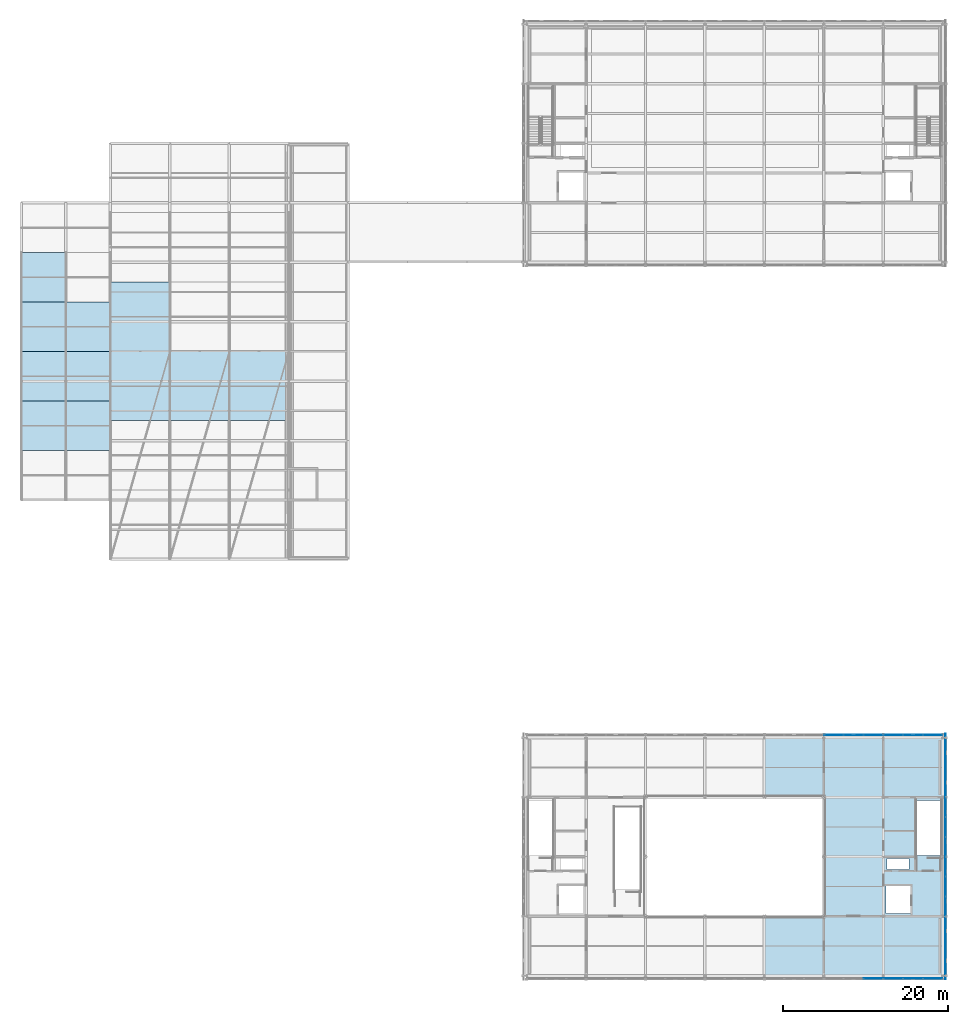
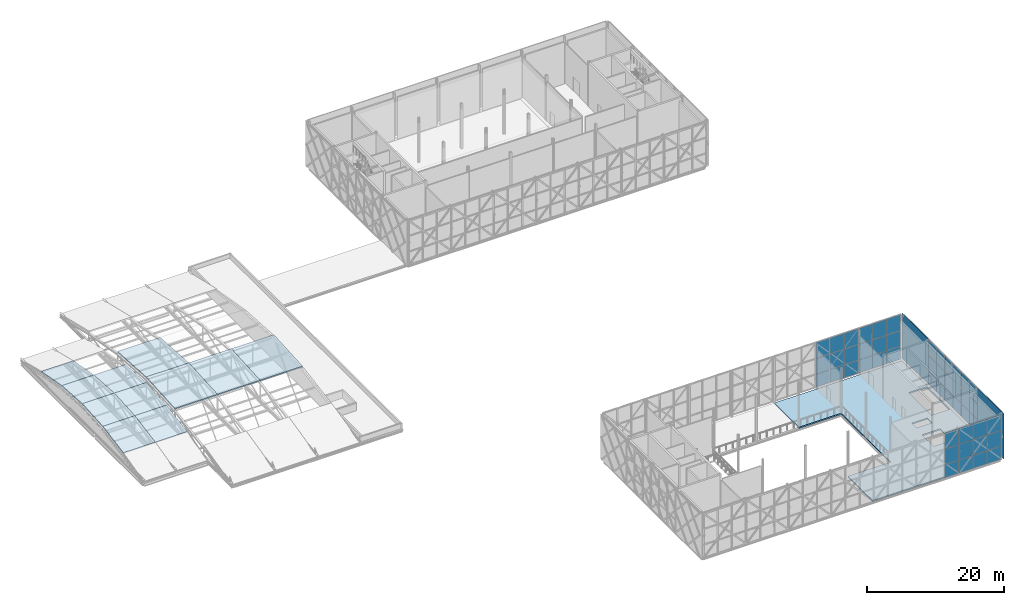
# One storey, part 55 of 76: 50 plates, 12 slabs, 6 elements without a shape of their own.
"""IFC4 building model written with IfcOpenShell, lengths in metres."""

from ifc_helpers import new_model, si_unit, direction, frame, origin, origin_2d, place, context, subcontext, project, spatial, polyline, rectangle, outline, extrude, material, layer, layer_set, type_object, element, aggregate, save


model = new_model("IFC4")

# Units and contexts
model_context = context("Model", 3, precision=1e-05, world=origin(), true_north=direction((0.0, 1.0)))
body_context = subcontext(model_context, "Body", "Model", "MODEL_VIEW")
ifc_project = project(units=[si_unit("LENGTHUNIT", "METRE"), si_unit("AREAUNIT", "SQUARE_METRE"), si_unit("VOLUMEUNIT", "CUBIC_METRE"), si_unit("PLANEANGLEUNIT", "RADIAN"), si_unit("MASSUNIT", "GRAM", prefix="KILO")], contexts=[model_context])

# Site, building, storey
site_placement = place(None, origin())
site = spatial("IfcSite", under=ifc_project, at=site_placement, CompositionType="ELEMENT")
building_placement = place(site_placement, origin())
building = spatial("IfcBuilding", under=site, at=building_placement, Name="Zlatovets Crest Museum", CompositionType="ELEMENT")
storey_placement = place(building_placement, frame((0.0, 0.0, 17.10009765625)))
storey = spatial("IfcBuildingStorey", under=building, at=storey_placement, Name="L04", CompositionType="ELEMENT", Elevation=17.10009765625)

# Curtain wall, plates
ifc_material_1 = material(Name="Bronze-anodised aluminium and low-E triple glass", Category="aluminium")
curtain_wall_type_1 = type_object("IfcCurtainWallType", Name="CW_CW-V2-L04-M0", PredefinedType="NOTDEFINED", material=ifc_material_1)
curtain_wall_1_placement = place(storey_placement, origin())
curtain_wall_1 = element("IfcCurtainWall", 1, at=curtain_wall_1_placement, inside=storey, type_object=curtain_wall_type_1, Name="V2 L04 Expressed Core Glazed Facade", PredefinedType="NOTDEFINED")
ifc_material_2 = material(Name="Solar-control low-E laminated triple glass", Category="glass")
ifc_layer_1 = layer(ifc_material_2, 0.028076171875)
ifc_layer_set_1 = layer_set([ifc_layer_1], Name="Solar-control low-E laminated triple glass")
plate_type_1 = type_object("IfcPlateType", Name="CWPanel_CW-V2-L04-M0", PredefinedType="CURTAIN_PANEL", material=ifc_layer_set_1)
plate_1_placement = place(storey_placement, frame((108.340087890625, 8.4150390625, 0.059814453125), z_axis=(0.0, 0.0, 1.0), x_axis=(0.0, 1.0, 0.0)))
plate_1 = element("IfcPlate", 2, at=plate_1_placement, type_object=plate_type_1, Name="CW-V2-L04-M0 panel 1.1", PredefinedType="CURTAIN_PANEL", context=body_context, shape_type="SweptSolid", body=[
    extrude(rectangle(XDim=2.31005859375, YDim=0.030029296875, at=origin_2d()), origin(), (0.0, 0.0, 1.0), 2.31005859375),
])
plate_2_placement = place(storey_placement, frame((108.340087890625, 8.4150390625, 2.4296875), z_axis=(0.0, 0.0, 1.0), x_axis=(0.0, 1.0, 0.0)))
plate_2 = element("IfcPlate", 3, at=plate_2_placement, type_object=plate_type_1, Name="CW-V2-L04-M0 panel 1.2", PredefinedType="CURTAIN_PANEL", context=body_context, shape_type="SweptSolid", body=[
    extrude(rectangle(XDim=2.31005859375, YDim=0.030029296875, at=origin_2d()), origin(), (0.0, 0.0, 1.0), 2.739990234375),
])
plate_3_placement = place(storey_placement, frame((108.340087890625, 8.4150390625, 5.22998046875), z_axis=(0.0, 0.0, 1.0), x_axis=(0.0, 1.0, 0.0)))
plate_3 = element("IfcPlate", 4, at=plate_3_placement, type_object=plate_type_1, Name="CW-V2-L04-M0 panel 1.3", PredefinedType="CURTAIN_PANEL", context=body_context, shape_type="SweptSolid", body=[
    extrude(rectangle(XDim=2.31005859375, YDim=0.030029296875, at=origin_2d()), origin(), (0.0, 0.0, 1.0), 2.81005859375),
])
plate_4_placement = place(storey_placement, frame((108.340087890625, 10.800048828125, 0.059814453125), z_axis=(0.0, 0.0, 1.0), x_axis=(0.0, 1.0, 0.0)))
plate_4 = element("IfcPlate", 5, at=plate_4_placement, type_object=plate_type_1, Name="CW-V2-L04-M0 panel 2.1", PredefinedType="CURTAIN_PANEL", context=body_context, shape_type="SweptSolid", body=[
    extrude(rectangle(XDim=2.340087890625, YDim=0.030029296875, at=origin_2d()), origin(), (0.0, 0.0, 1.0), 2.31005859375),
])
plate_5_placement = place(storey_placement, frame((108.340087890625, 10.800048828125, 2.4296875), z_axis=(0.0, 0.0, 1.0), x_axis=(0.0, 1.0, 0.0)))
plate_5 = element("IfcPlate", 6, at=plate_5_placement, type_object=plate_type_1, Name="CW-V2-L04-M0 panel 2.2", PredefinedType="CURTAIN_PANEL", context=body_context, shape_type="SweptSolid", body=[
    extrude(rectangle(XDim=2.340087890625, YDim=0.030029296875, at=origin_2d()), origin(), (0.0, 0.0, 1.0), 2.739990234375),
])
plate_6_placement = place(storey_placement, frame((108.340087890625, 10.800048828125, 5.22998046875), z_axis=(0.0, 0.0, 1.0), x_axis=(0.0, 1.0, 0.0)))
plate_6 = element("IfcPlate", 7, at=plate_6_placement, type_object=plate_type_1, Name="CW-V2-L04-M0 panel 2.3", PredefinedType="CURTAIN_PANEL", context=body_context, shape_type="SweptSolid", body=[
    extrude(rectangle(XDim=2.340087890625, YDim=0.030029296875, at=origin_2d()), origin(), (0.0, 0.0, 1.0), 2.81005859375),
])
plate_7_placement = place(storey_placement, frame((108.340087890625, 13.18505859375, 0.059814453125), z_axis=(0.0, 0.0, 1.0), x_axis=(0.0, 1.0, 0.0)))
plate_7 = element("IfcPlate", 8, at=plate_7_placement, type_object=plate_type_1, Name="CW-V2-L04-M0 panel 3.1", PredefinedType="CURTAIN_PANEL", context=body_context, shape_type="SweptSolid", body=[
    extrude(rectangle(XDim=2.31005859375, YDim=0.030029296875, at=origin_2d()), origin(), (0.0, 0.0, 1.0), 2.31005859375),
])
plate_8_placement = place(storey_placement, frame((108.340087890625, 13.18505859375, 2.4296875), z_axis=(0.0, 0.0, 1.0), x_axis=(0.0, 1.0, 0.0)))
plate_8 = element("IfcPlate", 9, at=plate_8_placement, type_object=plate_type_1, Name="CW-V2-L04-M0 panel 3.2", PredefinedType="CURTAIN_PANEL", context=body_context, shape_type="SweptSolid", body=[
    extrude(rectangle(XDim=2.31005859375, YDim=0.030029296875, at=origin_2d()), origin(), (0.0, 0.0, 1.0), 2.739990234375),
])
plate_9_placement = place(storey_placement, frame((108.340087890625, 13.18505859375, 5.22998046875), z_axis=(0.0, 0.0, 1.0), x_axis=(0.0, 1.0, 0.0)))
plate_9 = element("IfcPlate", 10, at=plate_9_placement, type_object=plate_type_1, Name="CW-V2-L04-M0 panel 3.3", PredefinedType="CURTAIN_PANEL", context=body_context, shape_type="SweptSolid", body=[
    extrude(rectangle(XDim=2.31005859375, YDim=0.030029296875, at=origin_2d()), origin(), (0.0, 0.0, 1.0), 2.81005859375),
])
aggregate(curtain_wall_1, [plate_1, plate_2, plate_3, plate_4, plate_5, plate_6, plate_7, plate_8, plate_9])

curtain_wall_2_placement = place(storey_placement, origin())
curtain_wall_2 = element("IfcCurtainWall", 11, at=curtain_wall_2_placement, inside=storey, type_object=curtain_wall_type_1, Name="V2 L04 Secession Foyer Clear Curtain Wall", PredefinedType="NOTDEFINED")
plate_10_placement = place(storey_placement, frame((99.5849609375, 29.139892578125, 0.059814453125), z_axis=(0.0, 0.0, 1.0), x_axis=(-1.0, 0.0, 0.0)))
plate_10 = element("IfcPlate", 12, at=plate_10_placement, type_object=plate_type_1, Name="CW-V2-L04-M0 panel 1.1", PredefinedType="CURTAIN_PANEL", context=body_context, shape_type="SweptSolid", body=[
    extrude(rectangle(XDim=2.31005859375, YDim=0.028076171875, at=origin_2d()), origin(), (0.0, 0.0, 1.0), 2.31005859375),
])
plate_11_placement = place(storey_placement, frame((99.5849609375, 29.139892578125, 2.4296875), z_axis=(0.0, 0.0, 1.0), x_axis=(-1.0, 0.0, 0.0)))
plate_11 = element("IfcPlate", 13, at=plate_11_placement, type_object=plate_type_1, Name="CW-V2-L04-M0 panel 1.2", PredefinedType="CURTAIN_PANEL", context=body_context, shape_type="SweptSolid", body=[
    extrude(rectangle(XDim=2.31005859375, YDim=0.028076171875, at=origin_2d()), origin(), (0.0, 0.0, 1.0), 2.739990234375),
])
plate_12_placement = place(storey_placement, frame((99.5849609375, 29.139892578125, 5.22998046875), z_axis=(0.0, 0.0, 1.0), x_axis=(-1.0, 0.0, 0.0)))
plate_12 = element("IfcPlate", 14, at=plate_12_placement, type_object=plate_type_1, Name="CW-V2-L04-M0 panel 1.3", PredefinedType="CURTAIN_PANEL", context=body_context, shape_type="SweptSolid", body=[
    extrude(rectangle(XDim=2.31005859375, YDim=0.028076171875, at=origin_2d()), origin(), (0.0, 0.0, 1.0), 2.81005859375),
])
plate_13_placement = place(storey_placement, frame((97.199951171875, 29.139892578125, 0.059814453125), z_axis=(0.0, 0.0, 1.0), x_axis=(-1.0, 0.0, 0.0)))
plate_13 = element("IfcPlate", 15, at=plate_13_placement, type_object=plate_type_1, Name="CW-V2-L04-M0 panel 2.1", PredefinedType="CURTAIN_PANEL", context=body_context, shape_type="SweptSolid", body=[
    extrude(rectangle(XDim=2.340087890625, YDim=0.028076171875, at=origin_2d()), origin(), (0.0, 0.0, 1.0), 2.31005859375),
])
plate_14_placement = place(storey_placement, frame((97.199951171875, 29.139892578125, 2.4296875), z_axis=(0.0, 0.0, 1.0), x_axis=(-1.0, 0.0, 0.0)))
plate_14 = element("IfcPlate", 16, at=plate_14_placement, type_object=plate_type_1, Name="CW-V2-L04-M0 panel 2.2", PredefinedType="CURTAIN_PANEL", context=body_context, shape_type="SweptSolid", body=[
    extrude(rectangle(XDim=2.340087890625, YDim=0.028076171875, at=origin_2d()), origin(), (0.0, 0.0, 1.0), 2.739990234375),
])
plate_15_placement = place(storey_placement, frame((97.199951171875, 29.139892578125, 5.22998046875), z_axis=(0.0, 0.0, 1.0), x_axis=(-1.0, 0.0, 0.0)))
plate_15 = element("IfcPlate", 17, at=plate_15_placement, type_object=plate_type_1, Name="CW-V2-L04-M0 panel 2.3", PredefinedType="CURTAIN_PANEL", context=body_context, shape_type="SweptSolid", body=[
    extrude(rectangle(XDim=2.340087890625, YDim=0.028076171875, at=origin_2d()), origin(), (0.0, 0.0, 1.0), 2.81005859375),
])
plate_16_placement = place(storey_placement, frame((94.81494140625, 29.139892578125, 0.059814453125), z_axis=(0.0, 0.0, 1.0), x_axis=(-1.0, 0.0, 0.0)))
plate_16 = element("IfcPlate", 18, at=plate_16_placement, type_object=plate_type_1, Name="CW-V2-L04-M0 panel 3.1", PredefinedType="CURTAIN_PANEL", context=body_context, shape_type="SweptSolid", body=[
    extrude(rectangle(XDim=2.31005859375, YDim=0.028076171875, at=origin_2d()), origin(), (0.0, 0.0, 1.0), 2.31005859375),
])
plate_17_placement = place(storey_placement, frame((94.81494140625, 29.139892578125, 2.4296875), z_axis=(0.0, 0.0, 1.0), x_axis=(-1.0, 0.0, 0.0)))
plate_17 = element("IfcPlate", 19, at=plate_17_placement, type_object=plate_type_1, Name="CW-V2-L04-M0 panel 3.2", PredefinedType="CURTAIN_PANEL", context=body_context, shape_type="SweptSolid", body=[
    extrude(rectangle(XDim=2.31005859375, YDim=0.028076171875, at=origin_2d()), origin(), (0.0, 0.0, 1.0), 2.739990234375),
])
plate_18_placement = place(storey_placement, frame((94.81494140625, 29.139892578125, 5.22998046875), z_axis=(0.0, 0.0, 1.0), x_axis=(-1.0, 0.0, 0.0)))
plate_18 = element("IfcPlate", 20, at=plate_18_placement, type_object=plate_type_1, Name="CW-V2-L04-M0 panel 3.3", PredefinedType="CURTAIN_PANEL", context=body_context, shape_type="SweptSolid", body=[
    extrude(rectangle(XDim=2.31005859375, YDim=0.028076171875, at=origin_2d()), origin(), (0.0, 0.0, 1.0), 2.81005859375),
])
aggregate(curtain_wall_2, [plate_10, plate_11, plate_12, plate_13, plate_14, plate_15, plate_16, plate_17, plate_18])

curtain_wall_type_2 = type_object("IfcCurtainWallType", Name="CW_CW-V2-L04-M1", PredefinedType="NOTDEFINED", material=ifc_material_1)
curtain_wall_3_placement = place(storey_placement, origin())
curtain_wall_3 = element("IfcCurtainWall", 21, at=curtain_wall_3_placement, inside=storey, type_object=curtain_wall_type_2, Name="V2 L04 Secession Foyer Clear Curtain Wall", PredefinedType="NOTDEFINED")
ifc_layer_2 = layer(ifc_material_2, 0.031982421875)
ifc_layer_set_2 = layer_set([ifc_layer_2], Name="Solar-control low-E laminated triple glass")
plate_type_2 = type_object("IfcPlateType", Name="CWPanel_CW-V2-L04-M1", PredefinedType="CURTAIN_PANEL", material=ifc_layer_set_2)
plate_19_placement = place(storey_placement, frame((99.5849609375, -0.340087890625, 0.059814453125), z_axis=(0.0, 0.0, 1.0), x_axis=(1.0, 0.0, 0.0)))
plate_19 = element("IfcPlate", 22, at=plate_19_placement, type_object=plate_type_2, Name="CW-V2-L04-M1 panel 3.1", PredefinedType="CURTAIN_PANEL", context=body_context, shape_type="SweptSolid", body=[
    extrude(rectangle(XDim=2.31005859375, YDim=0.031982421875, at=origin_2d()), origin(), (0.0, 0.0, 1.0), 2.31005859375),
])
plate_20_placement = place(storey_placement, frame((99.5849609375, -0.340087890625, 2.4296875), z_axis=(0.0, 0.0, 1.0), x_axis=(1.0, 0.0, 0.0)))
plate_20 = element("IfcPlate", 23, at=plate_20_placement, type_object=plate_type_2, Name="CW-V2-L04-M1 panel 3.2", PredefinedType="CURTAIN_PANEL", context=body_context, shape_type="SweptSolid", body=[
    extrude(rectangle(XDim=2.31005859375, YDim=0.031982421875, at=origin_2d()), origin(), (0.0, 0.0, 1.0), 2.739990234375),
])
plate_21_placement = place(storey_placement, frame((99.5849609375, -0.340087890625, 5.22998046875), z_axis=(0.0, 0.0, 1.0), x_axis=(1.0, 0.0, 0.0)))
plate_21 = element("IfcPlate", 24, at=plate_21_placement, type_object=plate_type_2, Name="CW-V2-L04-M1 panel 3.3", PredefinedType="CURTAIN_PANEL", context=body_context, shape_type="SweptSolid", body=[
    extrude(rectangle(XDim=2.31005859375, YDim=0.031982421875, at=origin_2d()), origin(), (0.0, 0.0, 1.0), 2.81005859375),
])
aggregate(curtain_wall_3, [plate_19, plate_20, plate_21])

curtain_wall_4_placement = place(storey_placement, origin())
curtain_wall_4 = element("IfcCurtainWall", 25, at=curtain_wall_4_placement, inside=storey, type_object=curtain_wall_type_2, Name="V2 L04 Expressed Core Glazed Facade", PredefinedType="NOTDEFINED")
plate_22_placement = place(storey_placement, frame((108.340087890625, 15.614990234375, 0.059814453125), z_axis=(0.0, 0.0, 1.0), x_axis=(0.0, 1.0, 0.0)))
plate_22 = element("IfcPlate", 26, at=plate_22_placement, type_object=plate_type_2, Name="CW-V2-L04-M1 panel 1.1", PredefinedType="CURTAIN_PANEL", context=body_context, shape_type="SweptSolid", body=[
    extrude(rectangle(XDim=2.31005859375, YDim=0.030029296875, at=origin_2d()), origin(), (0.0, 0.0, 1.0), 2.31005859375),
])
plate_23_placement = place(storey_placement, frame((108.340087890625, 15.614990234375, 2.4296875), z_axis=(0.0, 0.0, 1.0), x_axis=(0.0, 1.0, 0.0)))
plate_23 = element("IfcPlate", 27, at=plate_23_placement, type_object=plate_type_2, Name="CW-V2-L04-M1 panel 1.2", PredefinedType="CURTAIN_PANEL", context=body_context, shape_type="SweptSolid", body=[
    extrude(rectangle(XDim=2.31005859375, YDim=0.030029296875, at=origin_2d()), origin(), (0.0, 0.0, 1.0), 2.739990234375),
])
plate_24_placement = place(storey_placement, frame((108.340087890625, 15.614990234375, 5.22998046875), z_axis=(0.0, 0.0, 1.0), x_axis=(0.0, 1.0, 0.0)))
plate_24 = element("IfcPlate", 28, at=plate_24_placement, type_object=plate_type_2, Name="CW-V2-L04-M1 panel 1.3", PredefinedType="CURTAIN_PANEL", context=body_context, shape_type="SweptSolid", body=[
    extrude(rectangle(XDim=2.31005859375, YDim=0.030029296875, at=origin_2d()), origin(), (0.0, 0.0, 1.0), 2.81005859375),
])
plate_25_placement = place(storey_placement, frame((108.340087890625, 18.0, 0.059814453125), z_axis=(0.0, 0.0, 1.0), x_axis=(0.0, 1.0, 0.0)))
plate_25 = element("IfcPlate", 29, at=plate_25_placement, type_object=plate_type_2, Name="CW-V2-L04-M1 panel 2.1", PredefinedType="CURTAIN_PANEL", context=body_context, shape_type="SweptSolid", body=[
    extrude(rectangle(XDim=2.340087890625, YDim=0.030029296875, at=origin_2d()), origin(), (0.0, 0.0, 1.0), 2.31005859375),
])
plate_26_placement = place(storey_placement, frame((108.340087890625, 18.0, 2.4296875), z_axis=(0.0, 0.0, 1.0), x_axis=(0.0, 1.0, 0.0)))
plate_26 = element("IfcPlate", 30, at=plate_26_placement, type_object=plate_type_2, Name="CW-V2-L04-M1 panel 2.2", PredefinedType="CURTAIN_PANEL", context=body_context, shape_type="SweptSolid", body=[
    extrude(rectangle(XDim=2.340087890625, YDim=0.030029296875, at=origin_2d()), origin(), (0.0, 0.0, 1.0), 2.739990234375),
])
plate_27_placement = place(storey_placement, frame((108.340087890625, 18.0, 5.22998046875), z_axis=(0.0, 0.0, 1.0), x_axis=(0.0, 1.0, 0.0)))
plate_27 = element("IfcPlate", 31, at=plate_27_placement, type_object=plate_type_2, Name="CW-V2-L04-M1 panel 2.3", PredefinedType="CURTAIN_PANEL", context=body_context, shape_type="SweptSolid", body=[
    extrude(rectangle(XDim=2.340087890625, YDim=0.030029296875, at=origin_2d()), origin(), (0.0, 0.0, 1.0), 2.81005859375),
])
plate_28_placement = place(storey_placement, frame((108.340087890625, 20.385009765625, 0.059814453125), z_axis=(0.0, 0.0, 1.0), x_axis=(0.0, 1.0, 0.0)))
plate_28 = element("IfcPlate", 32, at=plate_28_placement, type_object=plate_type_2, Name="CW-V2-L04-M1 panel 3.1", PredefinedType="CURTAIN_PANEL", context=body_context, shape_type="SweptSolid", body=[
    extrude(rectangle(XDim=2.31005859375, YDim=0.030029296875, at=origin_2d()), origin(), (0.0, 0.0, 1.0), 2.31005859375),
])
plate_29_placement = place(storey_placement, frame((108.340087890625, 20.385009765625, 2.4296875), z_axis=(0.0, 0.0, 1.0), x_axis=(0.0, 1.0, 0.0)))
plate_29 = element("IfcPlate", 33, at=plate_29_placement, type_object=plate_type_2, Name="CW-V2-L04-M1 panel 3.2", PredefinedType="CURTAIN_PANEL", context=body_context, shape_type="SweptSolid", body=[
    extrude(rectangle(XDim=2.31005859375, YDim=0.030029296875, at=origin_2d()), origin(), (0.0, 0.0, 1.0), 2.739990234375),
])
plate_30_placement = place(storey_placement, frame((108.340087890625, 20.385009765625, 5.22998046875), z_axis=(0.0, 0.0, 1.0), x_axis=(0.0, 1.0, 0.0)))
plate_30 = element("IfcPlate", 34, at=plate_30_placement, type_object=plate_type_2, Name="CW-V2-L04-M1 panel 3.3", PredefinedType="CURTAIN_PANEL", context=body_context, shape_type="SweptSolid", body=[
    extrude(rectangle(XDim=2.31005859375, YDim=0.030029296875, at=origin_2d()), origin(), (0.0, 0.0, 1.0), 2.81005859375),
])
aggregate(curtain_wall_4, [plate_22, plate_23, plate_24, plate_25, plate_26, plate_27, plate_28, plate_29, plate_30])

curtain_wall_type_3 = type_object("IfcCurtainWallType", Name="CW_CW-V2-L04-M2", PredefinedType="NOTDEFINED", material=ifc_material_1)
curtain_wall_5_placement = place(storey_placement, origin())
curtain_wall_5 = element("IfcCurtainWall", 35, at=curtain_wall_5_placement, inside=storey, type_object=curtain_wall_type_3, Name="V2 L04 Secession Foyer Clear Curtain Wall", PredefinedType="NOTDEFINED")
ifc_layer_3 = layer(ifc_material_2, 0.035888671875)
ifc_layer_set_3 = layer_set([ifc_layer_3], Name="Solar-control low-E laminated triple glass")
plate_type_3 = type_object("IfcPlateType", Name="CWPanel_CW-V2-L04-M2", PredefinedType="CURTAIN_PANEL", material=ifc_layer_set_3)
plate_31_placement = place(storey_placement, frame((102.014892578125, -0.340087890625, 0.059814453125), z_axis=(0.0, 0.0, 1.0), x_axis=(1.0, 0.0, 0.0)))
plate_31 = element("IfcPlate", 36, at=plate_31_placement, type_object=plate_type_3, Name="CW-V2-L04-M2 panel 1.1", PredefinedType="CURTAIN_PANEL", context=body_context, shape_type="SweptSolid", body=[
    extrude(rectangle(XDim=2.31005859375, YDim=0.035888671875, at=origin_2d()), origin(), (0.0, 0.0, 1.0), 2.31005859375),
])
plate_32_placement = place(storey_placement, frame((102.014892578125, -0.340087890625, 2.4296875), z_axis=(0.0, 0.0, 1.0), x_axis=(1.0, 0.0, 0.0)))
plate_32 = element("IfcPlate", 37, at=plate_32_placement, type_object=plate_type_3, Name="CW-V2-L04-M2 panel 1.2", PredefinedType="CURTAIN_PANEL", context=body_context, shape_type="SweptSolid", body=[
    extrude(rectangle(XDim=2.31005859375, YDim=0.035888671875, at=origin_2d()), origin(), (0.0, 0.0, 1.0), 2.739990234375),
])
plate_33_placement = place(storey_placement, frame((102.014892578125, -0.340087890625, 5.22998046875), z_axis=(0.0, 0.0, 1.0), x_axis=(1.0, 0.0, 0.0)))
plate_33 = element("IfcPlate", 38, at=plate_33_placement, type_object=plate_type_3, Name="CW-V2-L04-M2 panel 1.3", PredefinedType="CURTAIN_PANEL", context=body_context, shape_type="SweptSolid", body=[
    extrude(rectangle(XDim=2.31005859375, YDim=0.035888671875, at=origin_2d()), origin(), (0.0, 0.0, 1.0), 2.81005859375),
])
plate_34_placement = place(storey_placement, frame((104.39990234375, -0.340087890625, 0.059814453125), z_axis=(0.0, 0.0, 1.0), x_axis=(1.0, 0.0, 0.0)))
plate_34 = element("IfcPlate", 39, at=plate_34_placement, type_object=plate_type_3, Name="CW-V2-L04-M2 panel 2.1", PredefinedType="CURTAIN_PANEL", context=body_context, shape_type="SweptSolid", body=[
    extrude(rectangle(XDim=2.340087890625, YDim=0.035888671875, at=origin_2d()), origin(), (0.0, 0.0, 1.0), 2.31005859375),
])
plate_35_placement = place(storey_placement, frame((104.39990234375, -0.340087890625, 2.4296875), z_axis=(0.0, 0.0, 1.0), x_axis=(1.0, 0.0, 0.0)))
plate_35 = element("IfcPlate", 40, at=plate_35_placement, type_object=plate_type_3, Name="CW-V2-L04-M2 panel 2.2", PredefinedType="CURTAIN_PANEL", context=body_context, shape_type="SweptSolid", body=[
    extrude(rectangle(XDim=2.340087890625, YDim=0.035888671875, at=origin_2d()), origin(), (0.0, 0.0, 1.0), 2.739990234375),
])
plate_36_placement = place(storey_placement, frame((104.39990234375, -0.340087890625, 5.22998046875), z_axis=(0.0, 0.0, 1.0), x_axis=(1.0, 0.0, 0.0)))
plate_36 = element("IfcPlate", 41, at=plate_36_placement, type_object=plate_type_3, Name="CW-V2-L04-M2 panel 2.3", PredefinedType="CURTAIN_PANEL", context=body_context, shape_type="SweptSolid", body=[
    extrude(rectangle(XDim=2.340087890625, YDim=0.035888671875, at=origin_2d()), origin(), (0.0, 0.0, 1.0), 2.81005859375),
])
plate_37_placement = place(storey_placement, frame((106.784912109375, -0.340087890625, 0.059814453125), z_axis=(0.0, 0.0, 1.0), x_axis=(1.0, 0.0, 0.0)))
plate_37 = element("IfcPlate", 42, at=plate_37_placement, type_object=plate_type_3, Name="CW-V2-L04-M2 panel 3.1", PredefinedType="CURTAIN_PANEL", context=body_context, shape_type="SweptSolid", body=[
    extrude(rectangle(XDim=2.31005859375, YDim=0.035888671875, at=origin_2d()), origin(), (0.0, 0.0, 1.0), 2.31005859375),
])
plate_38_placement = place(storey_placement, frame((106.784912109375, -0.340087890625, 2.4296875), z_axis=(0.0, 0.0, 1.0), x_axis=(1.0, 0.0, 0.0)))
plate_38 = element("IfcPlate", 43, at=plate_38_placement, type_object=plate_type_3, Name="CW-V2-L04-M2 panel 3.2", PredefinedType="CURTAIN_PANEL", context=body_context, shape_type="SweptSolid", body=[
    extrude(rectangle(XDim=2.31005859375, YDim=0.035888671875, at=origin_2d()), origin(), (0.0, 0.0, 1.0), 2.739990234375),
])
plate_39_placement = place(storey_placement, frame((106.784912109375, -0.340087890625, 5.22998046875), z_axis=(0.0, 0.0, 1.0), x_axis=(1.0, 0.0, 0.0)))
plate_39 = element("IfcPlate", 44, at=plate_39_placement, type_object=plate_type_3, Name="CW-V2-L04-M2 panel 3.3", PredefinedType="CURTAIN_PANEL", context=body_context, shape_type="SweptSolid", body=[
    extrude(rectangle(XDim=2.31005859375, YDim=0.035888671875, at=origin_2d()), origin(), (0.0, 0.0, 1.0), 2.81005859375),
])
aggregate(curtain_wall_5, [plate_31, plate_32, plate_33, plate_34, plate_35, plate_36, plate_37, plate_38, plate_39])

curtain_wall_type_4 = type_object("IfcCurtainWallType", Name="CW_CW-V2-L04-M3", PredefinedType="NOTDEFINED", material=ifc_material_1)
curtain_wall_6_placement = place(storey_placement, origin())
curtain_wall_6 = element("IfcCurtainWall", 45, at=curtain_wall_6_placement, inside=storey, type_object=curtain_wall_type_4, Name="V2 L04 Secession Foyer Clear Curtain Wall", PredefinedType="NOTDEFINED")
ifc_layer_4 = layer(ifc_material_2, 0.0400390625)
ifc_layer_set_4 = layer_set([ifc_layer_4], Name="Solar-control low-E laminated triple glass")
plate_type_4 = type_object("IfcPlateType", Name="CWPanel_CW-V2-L04-M3", PredefinedType="CURTAIN_PANEL", material=ifc_layer_set_4)
plate_40_placement = place(storey_placement, frame((106.784912109375, 29.139892578125, 0.059814453125), z_axis=(0.0, 0.0, 1.0), x_axis=(-1.0, 0.0, 0.0)))
plate_40 = element("IfcPlate", 46, at=plate_40_placement, type_object=plate_type_4, Name="CW-V2-L04-M3 panel 1.1", PredefinedType="CURTAIN_PANEL", context=body_context, shape_type="SweptSolid", body=[
    extrude(rectangle(XDim=2.31005859375, YDim=0.0400390625, at=origin_2d()), origin(), (0.0, 0.0, 1.0), 2.31005859375),
])
plate_41_placement = place(storey_placement, frame((106.784912109375, 29.139892578125, 2.4296875), z_axis=(0.0, 0.0, 1.0), x_axis=(-1.0, 0.0, 0.0)))
plate_41 = element("IfcPlate", 47, at=plate_41_placement, type_object=plate_type_4, Name="CW-V2-L04-M3 panel 1.2", PredefinedType="CURTAIN_PANEL", context=body_context, shape_type="SweptSolid", body=[
    extrude(rectangle(XDim=2.31005859375, YDim=0.0400390625, at=origin_2d()), origin(), (0.0, 0.0, 1.0), 2.739990234375),
])
plate_42_placement = place(storey_placement, frame((106.784912109375, 29.139892578125, 5.22998046875), z_axis=(0.0, 0.0, 1.0), x_axis=(-1.0, 0.0, 0.0)))
plate_42 = element("IfcPlate", 48, at=plate_42_placement, type_object=plate_type_4, Name="CW-V2-L04-M3 panel 1.3", PredefinedType="CURTAIN_PANEL", context=body_context, shape_type="SweptSolid", body=[
    extrude(rectangle(XDim=2.31005859375, YDim=0.0400390625, at=origin_2d()), origin(), (0.0, 0.0, 1.0), 2.81005859375),
])
plate_43_placement = place(storey_placement, frame((104.39990234375, 29.139892578125, 0.059814453125), z_axis=(0.0, 0.0, 1.0), x_axis=(-1.0, 0.0, 0.0)))
plate_43 = element("IfcPlate", 49, at=plate_43_placement, type_object=plate_type_4, Name="CW-V2-L04-M3 panel 2.1", PredefinedType="CURTAIN_PANEL", context=body_context, shape_type="SweptSolid", body=[
    extrude(rectangle(XDim=2.340087890625, YDim=0.0400390625, at=origin_2d()), origin(), (0.0, 0.0, 1.0), 2.31005859375),
])
plate_44_placement = place(storey_placement, frame((104.39990234375, 29.139892578125, 2.4296875), z_axis=(0.0, 0.0, 1.0), x_axis=(-1.0, 0.0, 0.0)))
plate_44 = element("IfcPlate", 50, at=plate_44_placement, type_object=plate_type_4, Name="CW-V2-L04-M3 panel 2.2", PredefinedType="CURTAIN_PANEL", context=body_context, shape_type="SweptSolid", body=[
    extrude(rectangle(XDim=2.340087890625, YDim=0.0400390625, at=origin_2d()), origin(), (0.0, 0.0, 1.0), 2.739990234375),
])
plate_45_placement = place(storey_placement, frame((104.39990234375, 29.139892578125, 5.22998046875), z_axis=(0.0, 0.0, 1.0), x_axis=(-1.0, 0.0, 0.0)))
plate_45 = element("IfcPlate", 51, at=plate_45_placement, type_object=plate_type_4, Name="CW-V2-L04-M3 panel 2.3", PredefinedType="CURTAIN_PANEL", context=body_context, shape_type="SweptSolid", body=[
    extrude(rectangle(XDim=2.340087890625, YDim=0.0400390625, at=origin_2d()), origin(), (0.0, 0.0, 1.0), 2.81005859375),
])
plate_46_placement = place(storey_placement, frame((102.014892578125, 29.139892578125, 0.059814453125), z_axis=(0.0, 0.0, 1.0), x_axis=(-1.0, 0.0, 0.0)))
plate_46 = element("IfcPlate", 52, at=plate_46_placement, type_object=plate_type_4, Name="CW-V2-L04-M3 panel 3.1", PredefinedType="CURTAIN_PANEL", context=body_context, shape_type="SweptSolid", body=[
    extrude(rectangle(XDim=2.31005859375, YDim=0.0400390625, at=origin_2d()), origin(), (0.0, 0.0, 1.0), 2.31005859375),
])
plate_47_placement = place(storey_placement, frame((102.014892578125, 29.139892578125, 2.4296875), z_axis=(0.0, 0.0, 1.0), x_axis=(-1.0, 0.0, 0.0)))
plate_47 = element("IfcPlate", 53, at=plate_47_placement, type_object=plate_type_4, Name="CW-V2-L04-M3 panel 3.2", PredefinedType="CURTAIN_PANEL", context=body_context, shape_type="SweptSolid", body=[
    extrude(rectangle(XDim=2.31005859375, YDim=0.0400390625, at=origin_2d()), origin(), (0.0, 0.0, 1.0), 2.739990234375),
])
plate_48_placement = place(storey_placement, frame((102.014892578125, 29.139892578125, 5.22998046875), z_axis=(0.0, 0.0, 1.0), x_axis=(-1.0, 0.0, 0.0)))
plate_48 = element("IfcPlate", 54, at=plate_48_placement, type_object=plate_type_4, Name="CW-V2-L04-M3 panel 3.3", PredefinedType="CURTAIN_PANEL", context=body_context, shape_type="SweptSolid", body=[
    extrude(rectangle(XDim=2.31005859375, YDim=0.0400390625, at=origin_2d()), origin(), (0.0, 0.0, 1.0), 2.81005859375),
])
aggregate(curtain_wall_6, [plate_40, plate_41, plate_42, plate_43, plate_44, plate_45, plate_46, plate_47, plate_48])

# Plates
ifc_material_3 = material(Name="Ceramic-fritted low-E laminated architectural glass", Category="glass")
ifc_layer_5 = layer(ifc_material_3, 0.031982421875)
ifc_layer_set_5 = layer_set([ifc_layer_5], Name="Ceramic-fritted low-E laminated architectural glass")
plate_type_5 = type_object("IfcPlateType", Name="GlazedSpandrel_GSP1", PredefinedType="USERDEFINED", material=ifc_layer_set_5)
for number, where, z_axis, x_axis, name in (
    (55, (108.340087890625, 3.360107421875, -0.000244140625), (0.0, 0.0, 1.0), (0.0, 1.0, 0.0), "V2 L04 Ceramic-Fritted Gallery Glass Skin"),
    (56, (108.340087890625, 25.43994140625, -0.000244140625), (0.0, 0.0, 1.0), (0.0, 1.0, 0.0), "V2 L04 Ceramic-Fritted Gallery Glass Skin"),
):
    element("IfcPlate", number, at=place(storey_placement, frame(where, z_axis=z_axis, x_axis=x_axis)), inside=storey, type_object=plate_type_5, Name=name, ObjectType="GLAZED_SPANDREL", PredefinedType="USERDEFINED", context=body_context, shape_type="SweptSolid", body=[
        extrude(rectangle(XDim=7.679931640625, YDim=0.031982421875, at=origin_2d()), origin(), (0.0, 0.0, 1.0), 8.10009765625),
    ])

# Slabs
ifc_material_4 = material(Name="Concrete C30/37", Category="concrete")
ifc_layer_6 = layer(ifc_material_4, 0.239990234375)
ifc_layer_set_6 = layer_set([ifc_layer_6], Name="Concrete C30/37")
slab_type_1 = type_object("IfcSlabType", Name="Slab_FS-03", PredefinedType="FLOOR", material=ifc_layer_set_6)
slab_1_placement = place(storey_placement, frame((0.0, 0.0, -0.239990234375)))
element("IfcSlab", 57, at=slab_1_placement, inside=storey, type_object=slab_type_1, Name="V2 L04 Structural Slab Panel 2", PredefinedType="FLOOR", context=body_context, shape_type="SweptSolid", body=[
    extrude(outline(polyline([(108.0, 28.800048828125), (108.0, 0.0), (86.39990234375, 0.0), (86.39990234375, 7.199951171875), (93.60009765625, 7.199951171875), (93.60009765625, 21.60009765625), (86.39990234375, 21.60009765625), (86.39990234375, 28.800048828125), (108.0, 28.800048828125)]), holes=[polyline([(104.800048828125, 21.199951171875), (104.800048828125, 14.5400390625), (107.800048828125, 14.5400390625), (107.800048828125, 21.199951171875), (104.800048828125, 21.199951171875)]), polyline([(101.10009765625, 10.89990234375), (101.10009765625, 7.5), (104.14990234375, 7.5), (104.14990234375, 10.89990234375), (101.10009765625, 10.89990234375)]), polyline([(103.89990234375, 14.199951171875), (101.25, 14.199951171875), (101.25, 12.85009765625), (103.89990234375, 12.85009765625), (103.89990234375, 14.199951171875)])]), origin(), (0.0, 0.0, 1.0), 0.239990234375),
])
ifc_layer_7 = layer(ifc_material_4, 0.219970703125)
ifc_layer_set_7 = layer_set([ifc_layer_7], Name="Concrete C30/37")
slab_type_2 = type_object("IfcSlabType", Name="Slab_RS-02", PredefinedType="ROOF", material=ifc_layer_set_7)
slab_2_placement = place(storey_placement, frame((7.199951171875, 67.199951171875, 3.464111328125), z_axis=(0.0, -0.063665735399, 0.997971279214), x_axis=(1.0, 0.0, 0.0)))
element("IfcSlab", 58, at=slab_2_placement, inside=storey, type_object=slab_type_2, Name="V4 Art Nouveau Barrel Vault Shell Facet", PredefinedType="ROOF", context=body_context, shape_type="SweptSolid", body=[
    extrude(outline(polyline([(0.0, 0.0), (7.199951171875, 0.0), (7.199951171875, 8.417222678983943), (0.0, 8.417222678983943), (0.0, 0.0)])), origin(), (0.0, 0.0, -1.0), 0.219970703125),
])
slab_3_placement = place(storey_placement, frame((7.199951171875, 75.60009765625, 4.0), z_axis=(0.0, 0.063667578324, 0.997971161643), x_axis=(1.0, 0.0, 0.0)))
element("IfcSlab", 59, at=slab_3_placement, inside=storey, type_object=slab_type_2, Name="V4 Art Nouveau Barrel Vault Shell Facet", PredefinedType="ROOF", context=body_context, shape_type="SweptSolid", body=[
    extrude(outline(polyline([(0.0, 0.0), (7.199951171875, 0.0), (7.199951171875, 8.416979033666454), (0.0, 8.416979033666454), (0.0, 0.0)])), origin(), (0.0, 0.0, -1.0), 0.219970703125),
])
slab_4_placement = place(storey_placement, frame((14.39990234375, 67.199951171875, 3.464111328125), z_axis=(0.0, -0.063665735399, 0.997971279214), x_axis=(1.0, 0.0, 0.0)))
element("IfcSlab", 60, at=slab_4_placement, inside=storey, type_object=slab_type_2, Name="V4 Art Nouveau Barrel Vault Shell Facet", PredefinedType="ROOF", context=body_context, shape_type="SweptSolid", body=[
    extrude(outline(polyline([(0.0, 0.0), (7.2001953125, 0.0), (7.2001953125, 8.417222678983943), (0.0, 8.417222678983943), (0.0, 0.0)])), origin(), (0.0, 0.0, -1.0), 0.219970703125),
])
slab_5_placement = place(storey_placement, frame((21.60009765625, 67.199951171875, 3.464111328125), z_axis=(0.0, -0.063665735399, 0.997971279214), x_axis=(1.0, 0.0, 0.0)))
element("IfcSlab", 61, at=slab_5_placement, inside=storey, type_object=slab_type_2, Name="V4 Art Nouveau Barrel Vault Shell Facet", PredefinedType="ROOF", context=body_context, shape_type="SweptSolid", body=[
    extrude(outline(polyline([(0.0, 0.0), (7.199951171875, 0.0), (7.199951171875, 8.417222678983943), (0.0, 8.417222678983943), (0.0, 0.0)])), origin(), (0.0, 0.0, -1.0), 0.219970703125),
])
slab_6_placement = place(storey_placement, frame((-3.60009765625, 63.60009765625, 1.5), z_axis=(0.0, -0.179994832294, 0.983667555807), x_axis=(1.0, 0.0, 0.0)))
element("IfcSlab", 62, at=slab_6_placement, inside=storey, type_object=slab_type_2, Name="V4 Art Nouveau Barrel Vault Shell Facet", PredefinedType="ROOF", context=body_context, shape_type="SweptSolid", body=[
    extrude(outline(polyline([(0.0, 0.0), (5.400146484375, 0.0), (5.400146484375, 6.099621731528483), (0.0, 6.099621731528483), (0.0, 0.0)])), origin(), (0.0, 0.0, -1.0), 0.219970703125),
])
for number, where, z_axis, x_axis, name in (
    (63, (-3.60009765625, 69.60009765625, 2.597900390625), (0.0, -0.066866613283, 0.997761923521), (1.0, 0.0, 0.0), "V4 Art Nouveau Barrel Vault Shell Facet"),
    (64, (-3.60009765625, 75.60009765625, 3.0), (0.0, 0.066866613283, 0.997761923521), (1.0, 0.0, 0.0), "V4 Art Nouveau Barrel Vault Shell Facet"),
):
    element("IfcSlab", number, at=place(storey_placement, frame(where, z_axis=z_axis, x_axis=x_axis)), inside=storey, type_object=slab_type_2, Name=name, PredefinedType="ROOF", context=body_context, shape_type="SweptSolid", body=[
        extrude(outline(polyline([(0.0, 0.0), (5.400146484375, 0.0), (5.400146484375, 6.01345858020653), (0.0, 6.01345858020653), (0.0, 0.0)])), origin(), (0.0, 0.0, -1.0), 0.219970703125),
    ])
slab_7_placement = place(storey_placement, frame((-3.60009765625, 81.60009765625, 2.597900390625), z_axis=(0.0, 0.179994832294, 0.983667555807), x_axis=(1.0, 0.0, 0.0)))
element("IfcSlab", 65, at=slab_7_placement, inside=storey, type_object=slab_type_2, Name="V4 Art Nouveau Barrel Vault Shell Facet", PredefinedType="ROOF", context=body_context, shape_type="SweptSolid", body=[
    extrude(outline(polyline([(0.0, 0.0), (5.400146484375, 0.0), (5.400146484375, 6.099621731528483), (0.0, 6.099621731528483), (0.0, 0.0)])), origin(), (0.0, 0.0, -1.0), 0.219970703125),
])
slab_8_placement = place(storey_placement, frame((1.800048828125, 63.60009765625, 1.5), z_axis=(0.0, -0.179994832294, 0.983667555807), x_axis=(1.0, 0.0, 0.0)))
element("IfcSlab", 66, at=slab_8_placement, inside=storey, type_object=slab_type_2, Name="V4 Art Nouveau Barrel Vault Shell Facet", PredefinedType="ROOF", context=body_context, shape_type="SweptSolid", body=[
    extrude(outline(polyline([(0.0, 0.0), (5.39990234375, 0.0), (5.39990234375, 6.099621731528483), (0.0, 6.099621731528483), (0.0, 0.0)])), origin(), (0.0, 0.0, -1.0), 0.219970703125),
])
for number, where, z_axis, x_axis, name in (
    (67, (1.800048828125, 69.60009765625, 2.597900390625), (0.0, -0.066866613283, 0.997761923521), (1.0, 0.0, 0.0), "V4 Art Nouveau Barrel Vault Shell Facet"),
    (68, (1.800048828125, 75.60009765625, 3.0), (0.0, 0.066866613283, 0.997761923521), (1.0, 0.0, 0.0), "V4 Art Nouveau Barrel Vault Shell Facet"),
):
    element("IfcSlab", number, at=place(storey_placement, frame(where, z_axis=z_axis, x_axis=x_axis)), inside=storey, type_object=slab_type_2, Name=name, PredefinedType="ROOF", context=body_context, shape_type="SweptSolid", body=[
        extrude(outline(polyline([(0.0, 0.0), (5.39990234375, 0.0), (5.39990234375, 6.013458580206528), (0.0, 6.013458580206528), (0.0, 0.0)])), origin(), (0.0, 0.0, -1.0), 0.219970703125),
    ])

save(model, "model.ifc")
